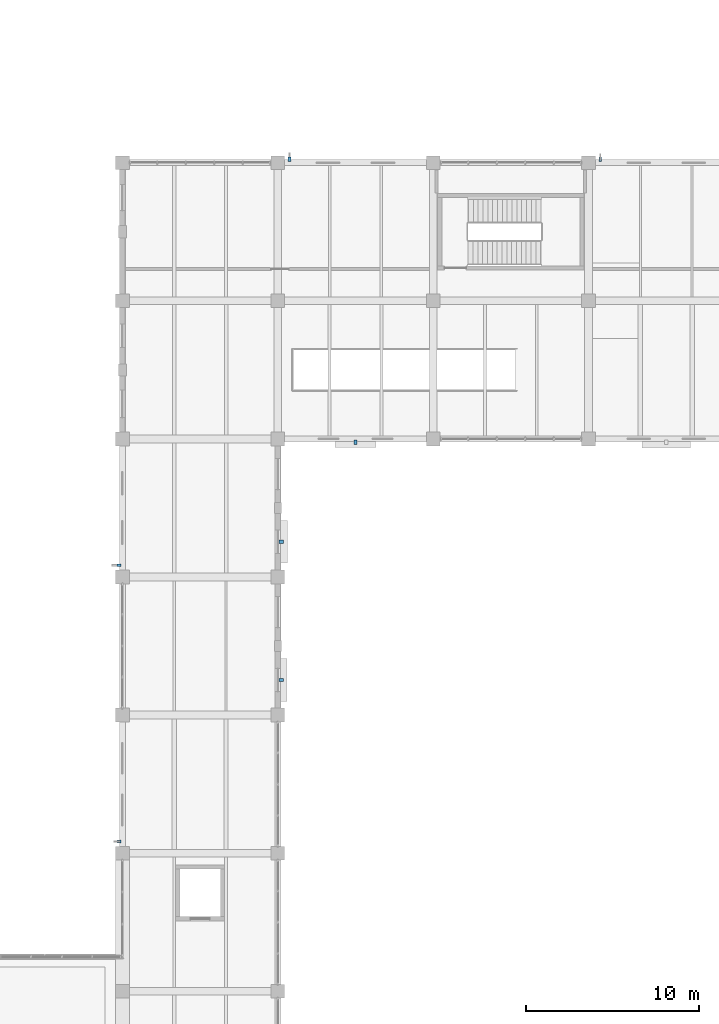
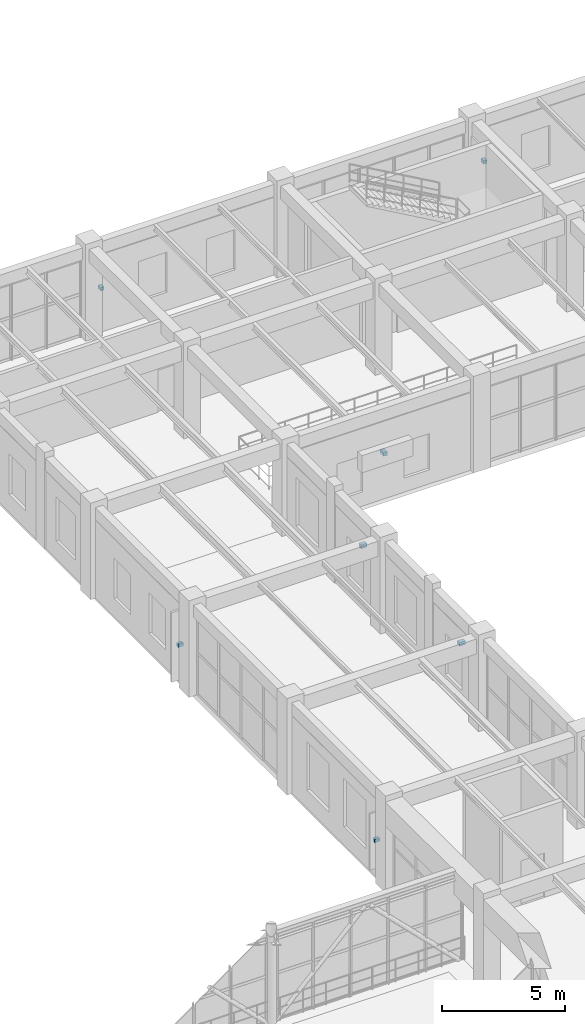
# One storey, part 166 of 178: 7 discrete accessories.
"""IFC4 building model written with IfcOpenShell, lengths in metres."""

from ifc_helpers import new_model, si_unit, derived_unit, direction, frame, origin, origin_2d, place, context, subcontext, project, spatial, rectangle, extrude, material, type_object, element, save


model = new_model("IFC4")

# Units and contexts
model_context = context("Model", 3, precision=1e-05, world=origin(), true_north=direction((0.0, 1.0)))
body_context = subcontext(model_context, "Body", "Model", "MODEL_VIEW")
ifc_project = project(units=[si_unit("LENGTHUNIT", "METRE"), si_unit("AREAUNIT", "SQUARE_METRE"), si_unit("VOLUMEUNIT", "CUBIC_METRE"), si_unit("PLANEANGLEUNIT", "RADIAN"), si_unit("MASSUNIT", "GRAM", prefix="KILO"), derived_unit("THERMALTRANSMITTANCEUNIT", [(si_unit("MASSUNIT", "GRAM", prefix="KILO"), 1), (si_unit("TIMEUNIT", "SECOND"), -3), (si_unit("THERMODYNAMICTEMPERATUREUNIT", "KELVIN"), -1)])], contexts=[model_context])

# Site, building, storey
site_placement = place(None, origin())
site = spatial("IfcSite", under=ifc_project, at=site_placement, CompositionType="ELEMENT")
building_placement = place(site_placement, origin())
building = spatial("IfcBuilding", under=site, at=building_placement, Name="Zhenchuan Archway Interchange", CompositionType="ELEMENT")
storey_placement = place(building_placement, frame((0.0, 0.0, 5.39990234375)))
storey = spatial("IfcBuildingStorey", under=building, at=storey_placement, Name="L01", CompositionType="ELEMENT", Elevation=5.39990234375)

# Discrete accessories
ifc_material = material(Name="Stainless Steel 316", Category="steel")
discrete_accessory_type_1 = type_object("IfcDiscreteAccessoryType", Name="BRK_SHD_1", PredefinedType="BRACKET", material=ifc_material)
for number, where, z_axis, x_axis, name in (
    (1, (98.800048828125, 64.677978515625, 1.85009765625), (0.0, 0.0, 1.0), (0.0, 1.0, 0.0), "Solar fin stainless fixing bracket L01-034"),
    (2, (98.800048828125, 80.677978515625, 1.85009765625), (0.0, 0.0, 1.0), (0.0, 1.0, 0.0), "Solar fin stainless fixing bracket L01-035"),
    (3, (108.677978515625, 104.199951171875, 1.85009765625), (0.0, 0.0, 1.0), (1.0, 0.0, 0.0), "Solar fin stainless fixing bracket L01-036"),
    (4, (126.677978515625, 104.199951171875, 1.85009765625), (0.0, 0.0, 1.0), (1.0, 0.0, 0.0), "Solar fin stainless fixing bracket L01-037"),
):
    element("IfcDiscreteAccessory", number, at=place(storey_placement, frame(where, z_axis=z_axis, x_axis=x_axis)), inside=storey, type_object=discrete_accessory_type_1, Name=name, PredefinedType="BRACKET", context=body_context, shape_type="SweptSolid", body=[
        extrude(rectangle(XDim=0.159912109375, YDim=0.239990234375, at=origin_2d()), origin(), (0.0, 0.0, 1.0), 0.159912109375),
    ])
discrete_accessory_type_2 = type_object("IfcDiscreteAccessoryType", Name="BRK_SHD_2", PredefinedType="BRACKET", material=ifc_material)
for number, where, z_axis, x_axis, name in (
    (5, (112.5, 87.800048828125, 2.26025390625), (0.0, 0.0, 1.0), (-1.0, 0.0, 0.0), "Storm-louvre stainless fixing bracket L01-061"),
    (6, (108.199951171875, 82.03759765625, 2.66015625), (0.0, 0.0, 1.0), (0.0, -1.0, 0.0), "Storm-louvre stainless fixing bracket L01-062"),
    (7, (108.199951171875, 74.03759765625, 2.66015625), (0.0, 0.0, 1.0), (0.0, -1.0, 0.0), "Storm-louvre stainless fixing bracket L01-063"),
):
    element("IfcDiscreteAccessory", number, at=place(storey_placement, frame(where, z_axis=z_axis, x_axis=x_axis)), inside=storey, type_object=discrete_accessory_type_2, Name=name, PredefinedType="BRACKET", context=body_context, shape_type="SweptSolid", body=[
        extrude(rectangle(XDim=0.179931640625, YDim=0.280029296875, at=origin_2d()), origin(), (0.0, 0.0, 1.0), 0.179931640625),
    ])

save(model, "model.ifc")
